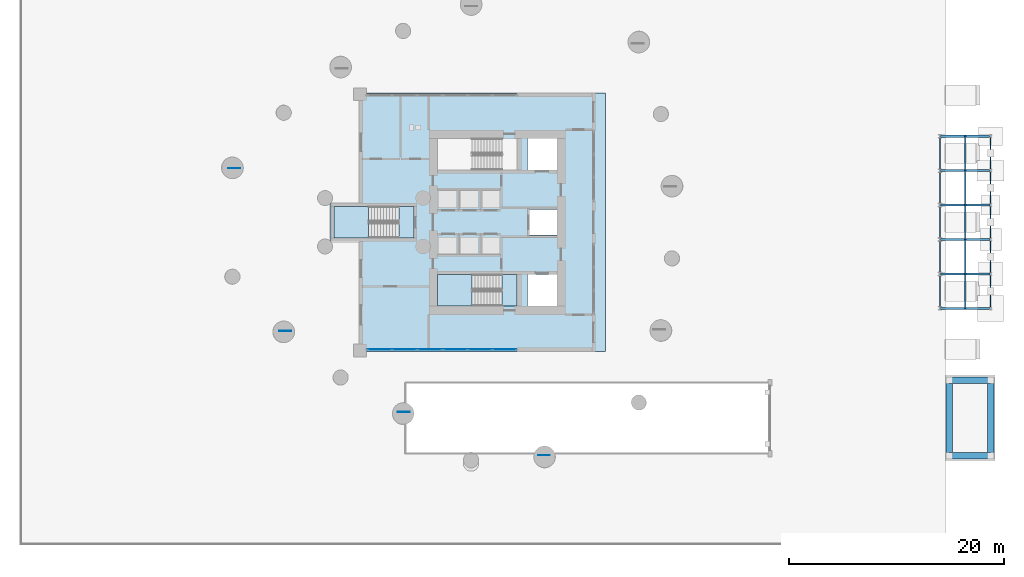
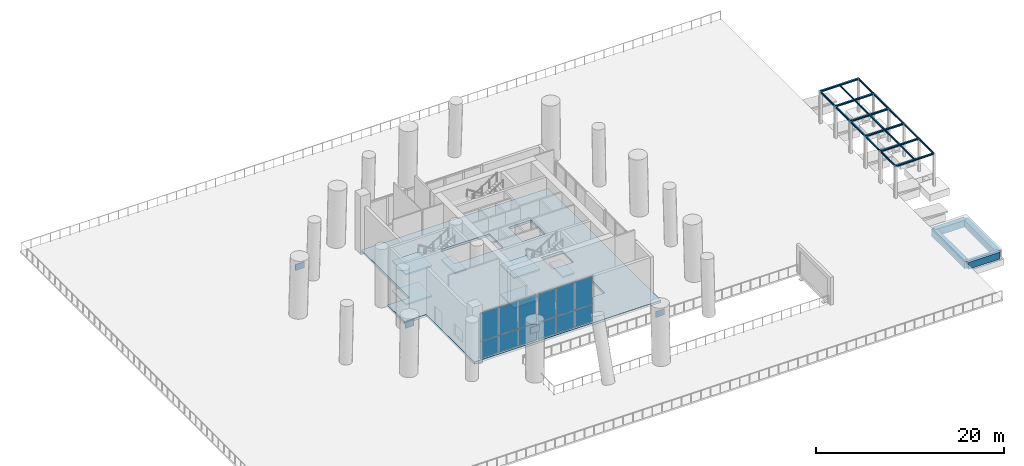
# One storey, part 5 of 16: 16 plates, 14 beams, 11 members, 7 slabs, 4 elements without a shape of their own.
"""IFC4 building model written with IfcOpenShell, lengths in metres."""

from ifc_helpers import new_model, si_unit, direction, frame, origin, origin_2d, place, context, subcontext, project, spatial, polyline, rectangle, i_section, outline, extrude, source, transform, mapped, material, layer, layer_set, material_profile, profile_set, type_object, element, aggregate, save


model = new_model("IFC4")

# Units and contexts
model_context = context("Model", 3, precision=1e-05, world=origin(), true_north=direction((0.0, 1.0)))
body_context = subcontext(model_context, "Body", "Model", "MODEL_VIEW")
ifc_project = project(units=[si_unit("LENGTHUNIT", "METRE"), si_unit("AREAUNIT", "SQUARE_METRE"), si_unit("VOLUMEUNIT", "CUBIC_METRE"), si_unit("PLANEANGLEUNIT", "RADIAN"), si_unit("MASSUNIT", "GRAM", prefix="KILO")], contexts=[model_context])

# Site, building, storey
site_placement = place(None, origin())
site = spatial("IfcSite", under=ifc_project, at=site_placement, CompositionType="ELEMENT")
building_placement = place(site_placement, origin())
building = spatial("IfcBuilding", under=site, at=building_placement, Name="Qafzar Sky-Pleat Residences", CompositionType="ELEMENT")
storey_placement = place(building_placement, origin())
storey = spatial("IfcBuildingStorey", under=building, at=storey_placement, Name="L00", CompositionType="ELEMENT", Elevation=0.0)

# Members
ifc_material_1 = material(Name="Steel S355", Category="steel")
ifc_material_profile_1 = material_profile(ifc_material_1, i_section(OverallWidth=0.199951171875, OverallDepth=0.199951171875, WebThickness=0.009033203125, FlangeThickness=0.014892578125, FilletRadius=0.01806640625, at=origin_2d()), Name="HEB 200")
ifc_profile_set_1 = profile_set([ifc_material_profile_1], Name="Steel S355")
member_type_1 = type_object("IfcMemberType", Name="MEM-CANOPY-PURL", PredefinedType="PURLIN", material=ifc_profile_set_1)
shared_shape_1 = source(origin(), body_context, "Body", "SweptSolid", [
    extrude(i_section(OverallWidth=0.199951171875, OverallDepth=0.199951171875, WebThickness=0.009033203125, FlangeThickness=0.014892578125, FilletRadius=0.01806640625, at=origin_2d()), origin(), (0.0, 0.0, 1.0), 4.699951171875),
])
for number, where, z_axis, x_axis, name in (
    (1, (71.5, 18.0, 4.10009765625), (1.0, 0.0, 0.0), (0.0, 1.0, 0.0), "Wadi Canopy Main Purlin 1"),
    (2, (71.5, 21.199951171875, 4.10009765625), (1.0, 0.0, 0.0), (0.0, 1.0, 0.0), "Wadi Canopy Main Purlin 2"),
    (3, (71.5, 24.39990234375, 4.10009765625), (1.0, 0.0, 0.0), (0.0, 1.0, 0.0), "Wadi Canopy Main Purlin 3"),
    (4, (71.5, 27.60009765625, 4.10009765625), (1.0, 0.0, 0.0), (0.0, 1.0, 0.0), "Wadi Canopy Main Purlin 4"),
    (5, (71.5, 30.800048828125, 4.10009765625), (1.0, 0.0, 0.0), (0.0, 1.0, 0.0), "Wadi Canopy Main Purlin 5"),
    (6, (71.5, 34.0, 4.10009765625), (1.0, 0.0, 0.0), (0.0, 1.0, 0.0), "Wadi Canopy Main Purlin 6"),
):
    element("IfcMember", number, at=place(storey_placement, frame(where, z_axis=z_axis, x_axis=x_axis)), inside=storey, type_object=member_type_1, Name=name, PredefinedType="PURLIN", context=body_context, shape_type="MappedRepresentation", body=[
        mapped(shared_shape_1, transform((0.0, 0.0, 0.0), x_axis=(1.0, 0.0, 0.0), y_axis=(0.0, 1.0, 0.0), z_axis=(0.0, 0.0, 1.0), scale=1.0)),
    ])

# Beams
ifc_material_profile_2 = material_profile(ifc_material_1, i_section(OverallWidth=0.1201171875, OverallDepth=0.239990234375, WebThickness=0.006103515625, FlangeThickness=0.009765625, FilletRadius=0.014892578125, at=origin_2d()), Name="IPE 240")
ifc_profile_set_2 = profile_set([ifc_material_profile_2], Name="Steel S355")
beam_type_1 = type_object("IfcBeamType", Name="BM-LNT-IPE240", PredefinedType="LINTEL", material=ifc_profile_set_2)
shared_shape_2 = source(origin(), body_context, "Body", "SweptSolid", [
    extrude(i_section(OverallWidth=0.1201171875, OverallDepth=0.239990234375, WebThickness=0.006103515625, FlangeThickness=0.009765625, FilletRadius=0.014892578125, at=origin_2d()), origin(), (0.0, 0.0, 1.0), 3.199951171875),
])
for number, where, z_axis, x_axis, name in (
    (7, (76.199951171875, 18.0, 4.080078125), (0.0, 1.0, 0.0), (-1.0, 0.0, 0.0), "Wadi Canopy Outer Edge Beam 1"),
    (8, (71.5, 18.0, 4.080078125), (0.0, 1.0, 0.0), (-1.0, 0.0, 0.0), "Wadi Canopy Inner Edge Beam 1"),
    (9, (76.199951171875, 21.199951171875, 4.080078125), (0.0, 1.0, 0.0), (-1.0, 0.0, 0.0), "Wadi Canopy Outer Edge Beam 2"),
    (10, (71.5, 21.199951171875, 4.080078125), (0.0, 1.0, 0.0), (-1.0, 0.0, 0.0), "Wadi Canopy Inner Edge Beam 2"),
    (11, (76.199951171875, 27.60009765625, 4.080078125), (0.0, 1.0, 0.0), (-1.0, 0.0, 0.0), "Wadi Canopy Outer Edge Beam 4"),
    (12, (71.5, 27.60009765625, 4.080078125), (0.0, 1.0, 0.0), (-1.0, 0.0, 0.0), "Wadi Canopy Inner Edge Beam 4"),
    (13, (76.199951171875, 30.800048828125, 4.080078125), (0.0, 1.0, 0.0), (-1.0, 0.0, 0.0), "Wadi Canopy Outer Edge Beam 5"),
    (14, (71.5, 30.800048828125, 4.080078125), (0.0, 1.0, 0.0), (-1.0, 0.0, 0.0), "Wadi Canopy Inner Edge Beam 5"),
):
    element("IfcBeam", number, at=place(storey_placement, frame(where, z_axis=z_axis, x_axis=x_axis)), inside=storey, type_object=beam_type_1, Name=name, PredefinedType="LINTEL", context=body_context, shape_type="MappedRepresentation", body=[
        mapped(shared_shape_2, transform((0.0, 0.0, 0.0), x_axis=(1.0, 0.0, 0.0), y_axis=(0.0, 1.0, 0.0), z_axis=(0.0, 0.0, 1.0), scale=1.0)),
    ])

# Members
ifc_material_profile_3 = material_profile(ifc_material_1, i_section(OverallWidth=0.10009765625, OverallDepth=0.199951171875, WebThickness=0.005615234375, FlangeThickness=0.008544921875, FilletRadius=0.011962890625, at=origin_2d()), Name="IPE 200")
ifc_profile_set_3 = profile_set([ifc_material_profile_3], Name="Steel S355")
member_type_2 = type_object("IfcMemberType", Name="MEM-CANOPY-SEC-PURL", PredefinedType="PURLIN", material=ifc_profile_set_3)
shared_shape_3 = source(origin(), body_context, "Body", "SweptSolid", [
    extrude(i_section(OverallWidth=0.10009765625, OverallDepth=0.199951171875, WebThickness=0.005615234375, FlangeThickness=0.008544921875, FilletRadius=0.011962890625, at=origin_2d()), origin(), (0.0, 0.0, 1.0), 3.199951171875),
])
for number, where, z_axis, x_axis, name in (
    (15, (73.85009765625, 18.0, 4.10009765625), (0.0, 1.0, 0.0), (-1.0, 0.0, 0.0), "Wadi Canopy Secondary Purlin 1"),
    (16, (73.85009765625, 21.199951171875, 4.10009765625), (0.0, 1.0, 0.0), (-1.0, 0.0, 0.0), "Wadi Canopy Secondary Purlin 2"),
    (17, (73.85009765625, 27.60009765625, 4.10009765625), (0.0, 1.0, 0.0), (-1.0, 0.0, 0.0), "Wadi Canopy Secondary Purlin 4"),
    (18, (73.85009765625, 30.800048828125, 4.10009765625), (0.0, 1.0, 0.0), (-1.0, 0.0, 0.0), "Wadi Canopy Secondary Purlin 5"),
):
    element("IfcMember", number, at=place(storey_placement, frame(where, z_axis=z_axis, x_axis=x_axis)), inside=storey, type_object=member_type_2, Name=name, PredefinedType="PURLIN", context=body_context, shape_type="MappedRepresentation", body=[
        mapped(shared_shape_3, transform((0.0, 0.0, 0.0), x_axis=(1.0, 0.0, 0.0), y_axis=(0.0, 1.0, 0.0), z_axis=(0.0, 0.0, 1.0), scale=1.0)),
    ])

# Beams
shared_shape_4 = source(origin(), body_context, "Body", "SweptSolid", [
    extrude(i_section(OverallWidth=0.1201171875, OverallDepth=0.239990234375, WebThickness=0.006103515625, FlangeThickness=0.009765625, FilletRadius=0.014892578125, at=origin_2d()), origin(), (0.0, 0.0, 1.0), 3.2001953125),
])
for number, where, z_axis, x_axis, name in (
    (19, (76.199951171875, 24.39990234375, 4.080078125), (0.0, 1.0, 0.0), (-1.0, 0.0, 0.0), "Wadi Canopy Outer Edge Beam 3"),
    (20, (71.5, 24.39990234375, 4.080078125), (0.0, 1.0, 0.0), (-1.0, 0.0, 0.0), "Wadi Canopy Inner Edge Beam 3"),
):
    element("IfcBeam", number, at=place(storey_placement, frame(where, z_axis=z_axis, x_axis=x_axis)), inside=storey, type_object=beam_type_1, Name=name, PredefinedType="LINTEL", context=body_context, shape_type="MappedRepresentation", body=[
        mapped(shared_shape_4, transform((0.0, 0.0, 0.0), x_axis=(1.0, 0.0, 0.0), y_axis=(0.0, 1.0, 0.0), z_axis=(0.0, 0.0, 1.0), scale=1.0)),
    ])

# Member
shared_shape_5 = source(origin(), body_context, "Body", "SweptSolid", [
    extrude(i_section(OverallWidth=0.10009765625, OverallDepth=0.199951171875, WebThickness=0.005615234375, FlangeThickness=0.008544921875, FilletRadius=0.011962890625, at=origin_2d()), origin(), (0.0, 0.0, 1.0), 3.2001953125),
])
member_placement = place(storey_placement, frame((73.85009765625, 24.39990234375, 4.10009765625), z_axis=(0.0, 1.0, 0.0), x_axis=(-1.0, 0.0, 0.0)))
element("IfcMember", 21, at=member_placement, inside=storey, type_object=member_type_2, Name="Wadi Canopy Secondary Purlin 3", PredefinedType="PURLIN", context=body_context, shape_type="MappedRepresentation", body=[
    mapped(shared_shape_5, transform((0.0, 0.0, 0.0), x_axis=(1.0, 0.0, 0.0), y_axis=(0.0, 1.0, 0.0), z_axis=(0.0, 0.0, 1.0), scale=1.0)),
])

# Beams
ifc_material_2 = material(Name="Concrete C50/60", Category="concrete")
ifc_material_profile_4 = material_profile(ifc_material_2, rectangle(XDim=0.60009765625, YDim=0.89990234375, at=origin_2d()), Name="RC 600x900")
ifc_profile_set_4 = profile_set([ifc_material_profile_4], Name="Concrete C50/60")
beam_type_2 = type_object("IfcBeamType", Name="BM-RC-600x900", PredefinedType="BEAM", material=ifc_profile_set_4)
shared_shape_6 = source(origin(), body_context, "Body", "SweptSolid", [
    extrude(rectangle(XDim=0.60009765625, YDim=0.89990234375, at=origin_2d()), origin(), (0.0, 0.0, 1.0), 7.0),
])
for number, where, z_axis, x_axis, name in (
    (22, (72.35009765625, 4.300048828125, -0.6650390625), (0.0, 1.0, 0.0), (-1.0, 0.0, 0.0), "L00 Driveway Apron Grade Beam 3"),
    (23, (76.199951171875, 4.300048828125, -0.6650390625), (0.0, 1.0, 0.0), (-1.0, 0.0, 0.0), "L00 Driveway Apron Grade Beam 4"),
):
    element("IfcBeam", number, at=place(storey_placement, frame(where, z_axis=z_axis, x_axis=x_axis)), inside=storey, type_object=beam_type_2, Name=name, PredefinedType="BEAM", context=body_context, shape_type="MappedRepresentation", body=[
        mapped(shared_shape_6, transform((0.0, 0.0, 0.0), x_axis=(1.0, 0.0, 0.0), y_axis=(0.0, 1.0, 0.0), z_axis=(0.0, 0.0, 1.0), scale=1.0)),
    ])
shared_shape_7 = source(origin(), body_context, "Body", "SweptSolid", [
    extrude(rectangle(XDim=0.60009765625, YDim=0.89990234375, at=origin_2d()), origin(), (0.0, 0.0, 1.0), 3.849853515625),
])
for number, where, z_axis, x_axis, name in (
    (24, (72.35009765625, 4.300048828125, -0.6650390625), (1.0, 0.0, 0.0), (0.0, 1.0, 0.0), "L00 Driveway Apron Grade Beam 1"),
    (25, (72.35009765625, 11.300048828125, -0.6650390625), (1.0, 0.0, 0.0), (0.0, 1.0, 0.0), "L00 Driveway Apron Grade Beam 2"),
):
    element("IfcBeam", number, at=place(storey_placement, frame(where, z_axis=z_axis, x_axis=x_axis)), inside=storey, type_object=beam_type_2, Name=name, PredefinedType="BEAM", context=body_context, shape_type="MappedRepresentation", body=[
        mapped(shared_shape_7, transform((0.0, 0.0, 0.0), x_axis=(1.0, 0.0, 0.0), y_axis=(0.0, 1.0, 0.0), z_axis=(0.0, 0.0, 1.0), scale=1.0)),
    ])

# Slab
ifc_material_3 = material(Name="Concrete C40/50", Category="concrete")
ifc_layer_1 = layer(ifc_material_3, 0.300048828125)
ifc_layer_set_1 = layer_set([ifc_layer_1], Name="Concrete C40/50")
slab_type_1 = type_object("IfcSlabType", Name="SLAB-FLR-300", PredefinedType="FLOOR", material=ifc_layer_set_1)
slab_1_placement = place(storey_placement, frame((0.0, 0.0, -0.300048828125)))
element("IfcSlab", 26, at=slab_1_placement, inside=storey, type_object=slab_type_1, Name="L00 Entrance Lobby and Core Slab", PredefinedType="FLOOR", context=body_context, shape_type="SweptSolid", body=[
    extrude(outline(polyline([(17.5, 38.0), (40.39990234375, 38.0), (40.39990234375, 14.0), (17.5, 14.0), (17.5, 24.199951171875), (14.800048828125, 24.199951171875), (14.800048828125, 27.800048828125), (17.5, 27.800048828125), (17.5, 38.0)]), holes=[polyline([(30.797119140625, 21.14990234375), (24.800048828125, 21.14990234375), (24.800048828125, 18.199951171875), (30.797119140625, 18.199951171875), (30.797119140625, 21.14990234375)]), polyline([(30.797119140625, 33.800048828125), (24.800048828125, 33.800048828125), (24.800048828125, 30.85009765625), (30.797119140625, 30.85009765625), (30.797119140625, 33.800048828125)]), polyline([(33.14990234375, 18.199951171875), (35.89990234375, 18.199951171875), (35.89990234375, 21.14990234375), (33.14990234375, 21.14990234375), (33.14990234375, 18.199951171875)]), polyline([(33.14990234375, 30.85009765625), (35.89990234375, 30.85009765625), (35.89990234375, 33.800048828125), (33.14990234375, 33.800048828125), (33.14990234375, 30.85009765625)]), polyline([(33.35009765625, 24.800048828125), (35.89990234375, 24.800048828125), (35.89990234375, 27.199951171875), (33.35009765625, 27.199951171875), (33.35009765625, 24.800048828125)])]), origin(), (0.0, 0.0, 1.0), 0.300048828125),
])

# Stair, slabs
stair_type = type_object("IfcStairType", Name="STAIR-H780", PredefinedType="HALF_TURN_STAIR", material=ifc_material_3)
stair_1_placement = place(storey_placement, origin())
stair_1 = element("IfcStair", 27, at=stair_1_placement, inside=storey, type_object=stair_type, Name="L00 Protected Exit Stair ST1", PredefinedType="HALF_TURN_STAIR")
ifc_layer_2 = layer(ifc_material_3, 0.199951171875)
ifc_layer_set_2 = layer_set([ifc_layer_2], Name="Concrete C40/50")
slab_type_2 = type_object("IfcSlabType", Name="SLAB-LANDING-200", PredefinedType="LANDING", material=ifc_layer_set_2)
slab_2_placement = place(storey_placement, frame((0.0, 0.0, 1.75)))
slab_2 = element("IfcSlab", 28, at=slab_2_placement, type_object=slab_type_2, Name="ST1 landing 1", PredefinedType="LANDING", context=body_context, shape_type="SweptSolid", body=[
    extrude(outline(polyline([(28.0, 21.14990234375), (24.800048828125, 21.14990234375), (24.800048828125, 18.199951171875), (28.0, 18.199951171875), (28.0, 21.14990234375)])), origin(), (0.0, 0.0, 1.0), 0.199951171875),
])
slab_3_placement = place(storey_placement, frame((0.0, 0.0, 3.699951171875)))
slab_3 = element("IfcSlab", 29, at=slab_3_placement, type_object=slab_type_2, Name="ST1 landing 2", PredefinedType="LANDING", context=body_context, shape_type="SweptSolid", body=[
    extrude(outline(polyline([(32.199951171875, 21.14990234375), (30.800048828125, 21.14990234375), (30.800048828125, 18.199951171875), (32.199951171875, 18.199951171875), (32.199951171875, 21.14990234375)])), origin(), (0.0, 0.0, 1.0), 0.199951171875),
])
slab_4_placement = place(storey_placement, frame((0.0, 0.0, 5.64990234375)))
slab_4 = element("IfcSlab", 30, at=slab_4_placement, type_object=slab_type_2, Name="ST1 landing 3", PredefinedType="LANDING", context=body_context, shape_type="SweptSolid", body=[
    extrude(outline(polyline([(28.0, 21.14990234375), (24.800048828125, 21.14990234375), (24.800048828125, 18.199951171875), (28.0, 18.199951171875), (28.0, 21.14990234375)])), origin(), (0.0, 0.0, 1.0), 0.2001953125),
])
aggregate(stair_1, [slab_2, slab_3, slab_4])

stair_2_placement = place(storey_placement, origin())
stair_2 = element("IfcStair", 31, at=stair_2_placement, inside=storey, type_object=stair_type, Name="L00 Protected Exit Stair ST3", PredefinedType="HALF_TURN_STAIR")
slab_5_placement = place(storey_placement, frame((0.0, 0.0, 1.75)))
slab_5 = element("IfcSlab", 32, at=slab_5_placement, type_object=slab_type_2, Name="ST3 landing 1", PredefinedType="LANDING", context=body_context, shape_type="SweptSolid", body=[
    extrude(outline(polyline([(18.39990234375, 27.47509765625), (15.199951171875, 27.47509765625), (15.199951171875, 24.52490234375), (18.39990234375, 24.52490234375), (18.39990234375, 27.47509765625)])), origin(), (0.0, 0.0, 1.0), 0.199951171875),
])
slab_6_placement = place(storey_placement, frame((0.0, 0.0, 3.699951171875)))
slab_6 = element("IfcSlab", 33, at=slab_6_placement, type_object=slab_type_2, Name="ST3 landing 2", PredefinedType="LANDING", context=body_context, shape_type="SweptSolid", body=[
    extrude(outline(polyline([(22.60009765625, 27.47509765625), (21.199951171875, 27.47509765625), (21.199951171875, 24.52490234375), (22.60009765625, 24.52490234375), (22.60009765625, 27.47509765625)])), origin(), (0.0, 0.0, 1.0), 0.199951171875),
])
slab_7_placement = place(storey_placement, frame((0.0, 0.0, 5.64990234375)))
slab_7 = element("IfcSlab", 34, at=slab_7_placement, type_object=slab_type_2, Name="ST3 landing 3", PredefinedType="LANDING", context=body_context, shape_type="SweptSolid", body=[
    extrude(outline(polyline([(18.39990234375, 27.47509765625), (15.199951171875, 27.47509765625), (15.199951171875, 24.52490234375), (18.39990234375, 24.52490234375), (18.39990234375, 27.47509765625)])), origin(), (0.0, 0.0, 1.0), 0.2001953125),
])
aggregate(stair_2, [slab_5, slab_6, slab_7])

# Plates
ifc_layer_3 = layer(ifc_material_1, 0.0400390625)
ifc_layer_set_3 = layer_set([ifc_layer_3], Name="Steel S355")
plate_type_1 = type_object("IfcPlateType", Name="PLT-NODE-KN1", PredefinedType="SHEET", material=ifc_layer_set_3)
shared_shape_8 = source(origin(), body_context, "Body", "SweptSolid", [
    extrude(rectangle(XDim=1.10009765625, YDim=0.0400390625, at=origin_2d()), origin(), (0.0, 0.0, 1.0), 0.800048828125),
])
for number, where, z_axis, x_axis, name in (
    (35, (5.89990234375, 31.02294921875, 5.7998046875), (0.0, 0.0, 1.0), (1.0, 0.0, 0.0), "L00 Pilotis Transfer Node Plate 1"),
    (36, (10.64892578125, 15.900390625, 5.7998046875), (0.0, 0.0, 1.0), (1.0, 0.0, 0.0), "L00 Pilotis Transfer Node Plate 2"),
    (37, (21.66357421875, 8.373779296875, 5.7998046875), (0.0, 0.0, 1.0), (1.0, 0.0, 0.0), "L00 Pilotis Transfer Node Plate 3"),
    (38, (34.699951171875, 4.349365234375, 5.7998046875), (0.0, 0.0, 1.0), (1.0, 0.0, 0.0), "L00 Pilotis Transfer Node Plate 4"),
):
    element("IfcPlate", number, at=place(storey_placement, frame(where, z_axis=z_axis, x_axis=x_axis)), inside=storey, type_object=plate_type_1, Name=name, PredefinedType="SHEET", context=body_context, shape_type="MappedRepresentation", body=[
        mapped(shared_shape_8, transform((0.0, 0.0, 0.0), x_axis=(1.0, 0.0, 0.0), y_axis=(0.0, 1.0, 0.0), z_axis=(0.0, 0.0, 1.0), scale=1.0)),
    ])

# Curtain wall, plates
ifc_material_4 = material(Name="Anodised bronze aluminium framing", Category="aluminium")
ifc_layer_4 = layer(ifc_material_4, 0.260009765625)
ifc_layer_set_4 = layer_set([ifc_layer_4], Name="Anodised bronze aluminium framing")
curtain_wall_type = type_object("IfcCurtainWallType", Name="CW-SYS-01", PredefinedType="NOTDEFINED", material=ifc_layer_set_4)
curtain_wall_1_placement = place(storey_placement, origin())
curtain_wall_1 = element("IfcCurtainWall", 39, at=curtain_wall_1_placement, inside=storey, type_object=curtain_wall_type, Name="L00 CW-01 Curtain Wall CW-L00-05", PredefinedType="NOTDEFINED")
ifc_material_5 = material(Name="Solar-control double low-E glazing", Category="glass")
ifc_layer_5 = layer(ifc_material_5, 0.033935546875)
ifc_layer_set_5 = layer_set([ifc_layer_5], Name="Solar-control double low-E glazing")
plate_type_2 = type_object("IfcPlateType", Name="CWP-01", PredefinedType="CURTAIN_PANEL", material=ifc_layer_set_5)
shared_shape_9 = source(origin(), body_context, "Body", "SweptSolid", [
    extrude(rectangle(XDim=2.2333984375, YDim=0.033935546875, at=origin_2d()), origin(), (0.0, 0.0, 1.0), 2.16748046875),
])
plate_1_placement = place(storey_placement, frame((24.083251953125, 14.179931640625, 0.080078125), z_axis=(0.0, 0.0, 1.0), x_axis=(-1.0, 0.0, 0.0)))
plate_1 = element("IfcPlate", 40, at=plate_1_placement, type_object=plate_type_2, Name="CW-01 panel 1.1", PredefinedType="CURTAIN_PANEL", context=body_context, shape_type="MappedRepresentation", body=[
    mapped(shared_shape_9, transform((0.0, 0.0, 0.0), x_axis=(1.0, 0.0, 0.0), y_axis=(0.0, 1.0, 0.0), z_axis=(0.0, 0.0, 1.0), scale=1.0)),
])
plate_2_placement = place(storey_placement, frame((19.416748046875, 14.179931640625, 0.080078125), z_axis=(0.0, 0.0, 1.0), x_axis=(-1.0, 0.0, 0.0)))
plate_2 = element("IfcPlate", 41, at=plate_2_placement, type_object=plate_type_2, Name="CW-01 panel 3.1", PredefinedType="CURTAIN_PANEL", context=body_context, shape_type="MappedRepresentation", body=[
    mapped(shared_shape_9, transform((0.0, 0.0, 0.0), x_axis=(1.0, 0.0, 0.0), y_axis=(0.0, 1.0, 0.0), z_axis=(0.0, 0.0, 1.0), scale=1.0)),
])
shared_shape_10 = source(origin(), body_context, "Body", "SweptSolid", [
    extrude(rectangle(XDim=2.2333984375, YDim=0.033935546875, at=origin_2d()), origin(), (0.0, 0.0, 1.0), 3.6123046875),
])
plate_3_placement = place(storey_placement, frame((24.083251953125, 14.179931640625, 2.32763671875), z_axis=(0.0, 0.0, 1.0), x_axis=(-1.0, 0.0, 0.0)))
plate_3 = element("IfcPlate", 42, at=plate_3_placement, type_object=plate_type_2, Name="CW-01 panel 1.2", PredefinedType="CURTAIN_PANEL", context=body_context, shape_type="MappedRepresentation", body=[
    mapped(shared_shape_10, transform((0.0, 0.0, 0.0), x_axis=(1.0, 0.0, 0.0), y_axis=(0.0, 1.0, 0.0), z_axis=(0.0, 0.0, 1.0), scale=1.0)),
])
plate_4_placement = place(storey_placement, frame((19.416748046875, 14.179931640625, 2.32763671875), z_axis=(0.0, 0.0, 1.0), x_axis=(-1.0, 0.0, 0.0)))
plate_4 = element("IfcPlate", 43, at=plate_4_placement, type_object=plate_type_2, Name="CW-01 panel 3.2", PredefinedType="CURTAIN_PANEL", context=body_context, shape_type="MappedRepresentation", body=[
    mapped(shared_shape_10, transform((0.0, 0.0, 0.0), x_axis=(1.0, 0.0, 0.0), y_axis=(0.0, 1.0, 0.0), z_axis=(0.0, 0.0, 1.0), scale=1.0)),
])
shared_shape_11 = source(origin(), body_context, "Body", "SweptSolid", [
    extrude(rectangle(XDim=2.2734375, YDim=0.033935546875, at=origin_2d()), origin(), (0.0, 0.0, 1.0), 2.16748046875),
])
plate_5_placement = place(storey_placement, frame((21.75, 14.179931640625, 0.080078125), z_axis=(0.0, 0.0, 1.0), x_axis=(-1.0, 0.0, 0.0)))
plate_5 = element("IfcPlate", 44, at=plate_5_placement, type_object=plate_type_2, Name="CW-01 panel 2.1", PredefinedType="CURTAIN_PANEL", context=body_context, shape_type="MappedRepresentation", body=[
    mapped(shared_shape_11, transform((0.0, 0.0, 0.0), x_axis=(1.0, 0.0, 0.0), y_axis=(0.0, 1.0, 0.0), z_axis=(0.0, 0.0, 1.0), scale=1.0)),
])
shared_shape_12 = source(origin(), body_context, "Body", "SweptSolid", [
    extrude(rectangle(XDim=2.2734375, YDim=0.033935546875, at=origin_2d()), origin(), (0.0, 0.0, 1.0), 3.6123046875),
])
plate_6_placement = place(storey_placement, frame((21.75, 14.179931640625, 2.32763671875), z_axis=(0.0, 0.0, 1.0), x_axis=(-1.0, 0.0, 0.0)))
plate_6 = element("IfcPlate", 45, at=plate_6_placement, type_object=plate_type_2, Name="CW-01 panel 2.2", PredefinedType="CURTAIN_PANEL", context=body_context, shape_type="MappedRepresentation", body=[
    mapped(shared_shape_12, transform((0.0, 0.0, 0.0), x_axis=(1.0, 0.0, 0.0), y_axis=(0.0, 1.0, 0.0), z_axis=(0.0, 0.0, 1.0), scale=1.0)),
])
aggregate(curtain_wall_1, [plate_1, plate_3, plate_5, plate_6, plate_2, plate_4])

curtain_wall_2_placement = place(storey_placement, origin())
curtain_wall_2 = element("IfcCurtainWall", 46, at=curtain_wall_2_placement, inside=storey, type_object=curtain_wall_type, Name="L00 CW-01 Curtain Wall CW-L00-06", PredefinedType="NOTDEFINED")
shared_shape_13 = source(origin(), body_context, "Body", "SweptSolid", [
    extrude(rectangle(XDim=2.166748046875, YDim=0.033935546875, at=origin_2d()), origin(), (0.0, 0.0, 1.0), 2.16748046875),
])
plate_7_placement = place(storey_placement, frame((31.0166015625, 14.179931640625, 0.080078125), z_axis=(0.0, 0.0, 1.0), x_axis=(-1.0, 0.0, 0.0)))
plate_7 = element("IfcPlate", 47, at=plate_7_placement, type_object=plate_type_2, Name="CW-01 panel 1.1", PredefinedType="CURTAIN_PANEL", context=body_context, shape_type="MappedRepresentation", body=[
    mapped(shared_shape_13, transform((0.0, 0.0, 0.0), x_axis=(1.0, 0.0, 0.0), y_axis=(0.0, 1.0, 0.0), z_axis=(0.0, 0.0, 1.0), scale=1.0)),
])
plate_8_placement = place(storey_placement, frame((26.4833984375, 14.179931640625, 0.080078125), z_axis=(0.0, 0.0, 1.0), x_axis=(-1.0, 0.0, 0.0)))
plate_8 = element("IfcPlate", 48, at=plate_8_placement, type_object=plate_type_2, Name="CW-01 panel 3.1", PredefinedType="CURTAIN_PANEL", context=body_context, shape_type="MappedRepresentation", body=[
    mapped(shared_shape_13, transform((0.0, 0.0, 0.0), x_axis=(1.0, 0.0, 0.0), y_axis=(0.0, 1.0, 0.0), z_axis=(0.0, 0.0, 1.0), scale=1.0)),
])
shared_shape_14 = source(origin(), body_context, "Body", "SweptSolid", [
    extrude(rectangle(XDim=2.166748046875, YDim=0.033935546875, at=origin_2d()), origin(), (0.0, 0.0, 1.0), 3.6123046875),
])
plate_9_placement = place(storey_placement, frame((31.0166015625, 14.179931640625, 2.32763671875), z_axis=(0.0, 0.0, 1.0), x_axis=(-1.0, 0.0, 0.0)))
plate_9 = element("IfcPlate", 49, at=plate_9_placement, type_object=plate_type_2, Name="CW-01 panel 1.2", PredefinedType="CURTAIN_PANEL", context=body_context, shape_type="MappedRepresentation", body=[
    mapped(shared_shape_14, transform((0.0, 0.0, 0.0), x_axis=(1.0, 0.0, 0.0), y_axis=(0.0, 1.0, 0.0), z_axis=(0.0, 0.0, 1.0), scale=1.0)),
])
plate_10_placement = place(storey_placement, frame((26.4833984375, 14.179931640625, 2.32763671875), z_axis=(0.0, 0.0, 1.0), x_axis=(-1.0, 0.0, 0.0)))
plate_10 = element("IfcPlate", 50, at=plate_10_placement, type_object=plate_type_2, Name="CW-01 panel 3.2", PredefinedType="CURTAIN_PANEL", context=body_context, shape_type="MappedRepresentation", body=[
    mapped(shared_shape_14, transform((0.0, 0.0, 0.0), x_axis=(1.0, 0.0, 0.0), y_axis=(0.0, 1.0, 0.0), z_axis=(0.0, 0.0, 1.0), scale=1.0)),
])
shared_shape_15 = source(origin(), body_context, "Body", "SweptSolid", [
    extrude(rectangle(XDim=2.206787109375, YDim=0.033935546875, at=origin_2d()), origin(), (0.0, 0.0, 1.0), 2.16748046875),
])
plate_11_placement = place(storey_placement, frame((28.75, 14.179931640625, 0.080078125), z_axis=(0.0, 0.0, 1.0), x_axis=(-1.0, 0.0, 0.0)))
plate_11 = element("IfcPlate", 51, at=plate_11_placement, type_object=plate_type_2, Name="CW-01 panel 2.1", PredefinedType="CURTAIN_PANEL", context=body_context, shape_type="MappedRepresentation", body=[
    mapped(shared_shape_15, transform((0.0, 0.0, 0.0), x_axis=(1.0, 0.0, 0.0), y_axis=(0.0, 1.0, 0.0), z_axis=(0.0, 0.0, 1.0), scale=1.0)),
])
shared_shape_16 = source(origin(), body_context, "Body", "SweptSolid", [
    extrude(rectangle(XDim=2.206787109375, YDim=0.033935546875, at=origin_2d()), origin(), (0.0, 0.0, 1.0), 3.6123046875),
])
plate_12_placement = place(storey_placement, frame((28.75, 14.179931640625, 2.32763671875), z_axis=(0.0, 0.0, 1.0), x_axis=(-1.0, 0.0, 0.0)))
plate_12 = element("IfcPlate", 52, at=plate_12_placement, type_object=plate_type_2, Name="CW-01 panel 2.2", PredefinedType="CURTAIN_PANEL", context=body_context, shape_type="MappedRepresentation", body=[
    mapped(shared_shape_16, transform((0.0, 0.0, 0.0), x_axis=(1.0, 0.0, 0.0), y_axis=(0.0, 1.0, 0.0), z_axis=(0.0, 0.0, 1.0), scale=1.0)),
])
aggregate(curtain_wall_2, [plate_7, plate_9, plate_11, plate_12, plate_8, plate_10])

save(model, "model.ifc")
